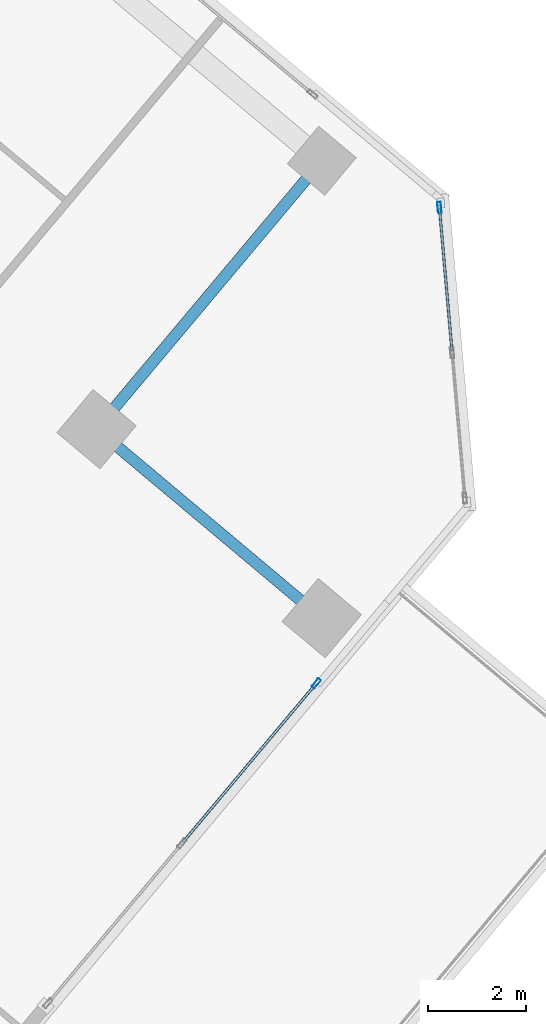
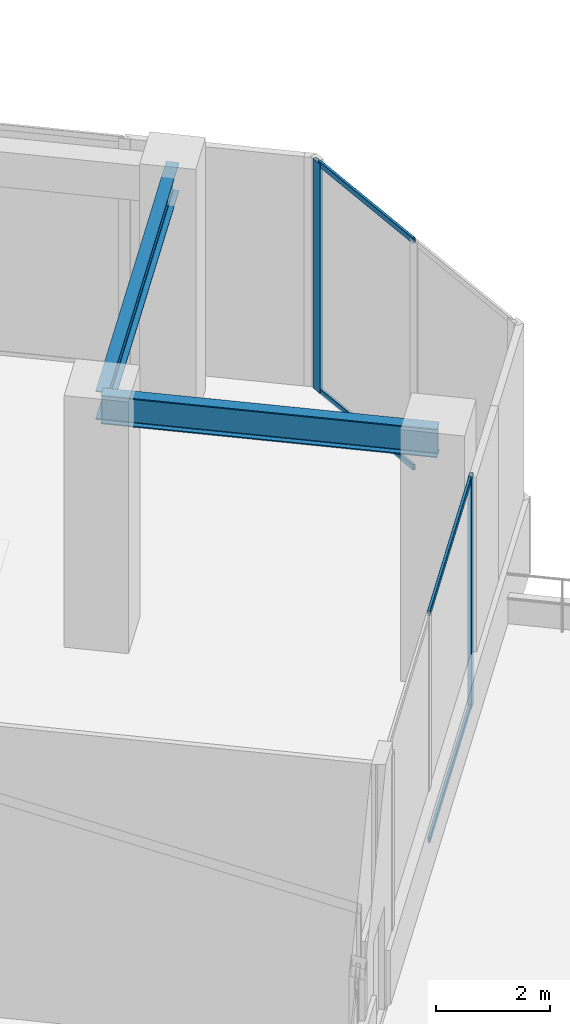
# One storey, part 6 of 17: 6 members, 2 beams, 2 elements without a shape of their own.
"""IFC4 building model written with IfcOpenShell, lengths in metres."""

from ifc_helpers import new_model, si_unit, direction, frame, origin, origin_2d, place, context, subcontext, project, spatial, hollow_rectangle, i_section, extrude, source, transform, mapped, material, material_profile, profile_set, type_object, element, aggregate, save


model = new_model("IFC4")

# Units and contexts
model_context = context("Model", 3, precision=1e-05, world=origin(), true_north=direction((0.0, 1.0)))
body_context = subcontext(model_context, "Body", "Model", "MODEL_VIEW")
ifc_project = project(units=[si_unit("LENGTHUNIT", "METRE"), si_unit("AREAUNIT", "SQUARE_METRE"), si_unit("VOLUMEUNIT", "CUBIC_METRE"), si_unit("PLANEANGLEUNIT", "RADIAN"), si_unit("MASSUNIT", "GRAM", prefix="KILO")], contexts=[model_context])

# Site, building, storey
site_placement = place(None, origin())
site = spatial("IfcSite", under=ifc_project, at=site_placement, CompositionType="ELEMENT")
building_placement = place(site_placement, origin())
building = spatial("IfcBuilding", under=site, at=building_placement, Name="Torre Montelarca", CompositionType="ELEMENT")
storey_placement = place(building_placement, frame((0.0, 0.0, 215.199951171875)))
storey = spatial("IfcBuildingStorey", under=building, at=storey_placement, Name="L48", CompositionType="ELEMENT", Elevation=215.199951171875)

# Beams
ifc_material_1 = material(Name="Steel ASTM A992 Grade 50", Category="steel")
ifc_material_profile_1 = material_profile(ifc_material_1, i_section(OverallWidth=0.22998046875, OverallDepth=0.616943359375, WebThickness=0.01318359375, FlangeThickness=0.022216796875, FilletRadius=0.014892578125, at=origin_2d()), Name="W610X140", Category="steel")
ifc_profile_set_1 = profile_set([ifc_material_profile_1], Name="Steel ASTM A992 Grade 50")
beam_type = type_object("IfcBeamType", Name="BM-G-W610", PredefinedType="BEAM", material=ifc_profile_set_1)
shared_shape_1 = source(origin(), body_context, "Body", "SweptSolid", [
    extrude(i_section(OverallWidth=0.22998046875, OverallDepth=0.616943359375, WebThickness=0.01318359375, FlangeThickness=0.022216796875, FilletRadius=0.014892578125, at=origin_2d()), origin(), (0.0, 0.0, 1.0), 6.0),
])
beam_1_placement = place(storey_placement, frame((37.75, 28.807861328125, 4.85107421875), z_axis=(0.766042232247, -0.642790244492, 0.0), x_axis=(0.642790244492, 0.766042232247, 0.0)))
element("IfcBeam", 1, at=beam_1_placement, inside=storey, type_object=beam_type, Name="L48 Grid Girder X 36.0-42.0 at Y=40.0", PredefinedType="BEAM", context=body_context, shape_type="MappedRepresentation", body=[
    mapped(shared_shape_1, transform((0.0, 0.0, 0.0), scale=1.0)),
])
shared_shape_2 = source(origin(), body_context, "Body", "SweptSolid", [
    extrude(i_section(OverallWidth=0.22998046875, OverallDepth=0.616943359375, WebThickness=0.01318359375, FlangeThickness=0.022216796875, FilletRadius=0.014892578125, at=origin_2d()), origin(), (0.0, 0.0, 1.0), 7.150146484375),
])
beam_2_placement = place(storey_placement, frame((37.75, 28.807861328125, 4.85107421875), z_axis=(0.642783597714, 0.766047809546, 0.0), x_axis=(-0.766047809546, 0.642783597714, 0.0)))
element("IfcBeam", 2, at=beam_2_placement, inside=storey, type_object=beam_type, Name="L48 Grid Girder Y 40.0-47.1 at X=36.0", PredefinedType="BEAM", context=body_context, shape_type="MappedRepresentation", body=[
    mapped(shared_shape_2, transform((0.0, 0.0, 0.0), scale=1.0)),
])

# Curtain wall, member
ifc_material_2 = material(Name="Insulated low-E laminated glass", Category="glass")
curtain_wall_type = type_object("IfcCurtainWallType", Name="CW-SYS-Z3", PredefinedType="USERDEFINED", material=ifc_material_2)
curtain_wall_1_placement = place(storey_placement, origin())
curtain_wall_1 = element("IfcCurtainWall", 3, at=curtain_wall_1_placement, inside=storey, type_object=curtain_wall_type, Name="L48 Curtain Wall Run CW-T3-L48-E06-B2", ObjectType="UNITISED GLAZING", PredefinedType="USERDEFINED")
ifc_material_3 = material(Name="Anodised aluminium AA 6063-T6", Category="aluminium")
ifc_material_profile_2 = material_profile(ifc_material_3, hollow_rectangle(XDim=0.074951171875, YDim=0.219970703125, WallThickness=0.0048828125, InnerFilletRadius=0.0048828125, OuterFilletRadius=0.010009765625, at=origin_2d()), Name="ALU75X220X5", Category="aluminium")
ifc_profile_set_2 = profile_set([ifc_material_profile_2], Name="Anodised aluminium AA 6063-T6")
member_type_1 = type_object("IfcMemberType", Name="CWM-ALU220", PredefinedType="MULLION", material=ifc_profile_set_2)
shared_shape_3 = source(origin(), body_context, "Body", "SweptSolid", [
    extrude(hollow_rectangle(XDim=0.074951171875, YDim=0.219970703125, WallThickness=0.0048828125, InnerFilletRadius=0.0048828125, OuterFilletRadius=0.010009765625, at=origin_2d()), origin(), (0.0, 0.0, 1.0), 4.920166015625),
])
member_1_placement = place(storey_placement, frame((42.23388671875, 23.619384765625, 0.0), z_axis=(0.0, 0.0, 1.0), x_axis=(-0.766049305207, 0.642781815231, 0.0)))
member_1 = element("IfcMember", 4, at=member_1_placement, type_object=member_type_1, Name="CW mullion 3", PredefinedType="MULLION", context=body_context, shape_type="MappedRepresentation", body=[
    mapped(shared_shape_3, transform((0.0, 0.0, 0.0), scale=1.0)),
])

curtain_wall_2_placement = place(storey_placement, origin())
curtain_wall_2 = element("IfcCurtainWall", 5, at=curtain_wall_2_placement, inside=storey, type_object=curtain_wall_type, Name="L48 Curtain Wall Run CW-T3-L48-E07-B1", ObjectType="UNITISED GLAZING", PredefinedType="USERDEFINED")
member_2_placement = place(storey_placement, frame((44.74755859375, 33.332763671875, 0.0), z_axis=(0.0, 0.0, 1.0), x_axis=(-0.996192349816, -0.087182579501, 0.0)))
member_2 = element("IfcMember", 6, at=member_2_placement, type_object=member_type_1, Name="CW mullion 3", PredefinedType="MULLION", context=body_context, shape_type="MappedRepresentation", body=[
    mapped(shared_shape_3, transform((0.0, 0.0, 0.0), scale=1.0)),
])

# Member
ifc_material_profile_3 = material_profile(ifc_material_3, hollow_rectangle(XDim=0.054931640625, YDim=0.1201171875, WallThickness=0.00341796875, InnerFilletRadius=0.00341796875, OuterFilletRadius=0.007080078125, at=origin_2d()), Name="ALU55X120X3.5", Category="aluminium")
ifc_profile_set_3 = profile_set([ifc_material_profile_3], Name="Anodised aluminium AA 6063-T6")
member_type_2 = type_object("IfcMemberType", Name="CWT-ALU120", PredefinedType="USERDEFINED", material=ifc_profile_set_3)
shared_shape_4 = source(origin(), body_context, "Body", "SweptSolid", [
    extrude(hollow_rectangle(XDim=0.054931640625, YDim=0.1201171875, WallThickness=0.00341796875, InnerFilletRadius=0.00341796875, OuterFilletRadius=0.007080078125, at=origin_2d()), origin(), (0.0, 0.0, 1.0), 4.18701171875),
])
member_3_placement = place(storey_placement, frame((39.518310546875, 20.383056640625, 0.027587890625), z_axis=(0.64278449755, 0.766047054501, 0.0), x_axis=(-0.766047054501, 0.64278449755, 0.0)))
member_3 = element("IfcMember", 7, at=member_3_placement, type_object=member_type_2, Name="CW transom 2.1", ObjectType="TRANSOM", PredefinedType="USERDEFINED", context=body_context, shape_type="MappedRepresentation", body=[
    mapped(shared_shape_4, transform((0.0, 0.0, 0.0), scale=1.0)),
])

member_4_placement = place(storey_placement, frame((39.518310546875, 20.383056640625, 4.892578125), z_axis=(0.64278449755, 0.766047054501, 0.0), x_axis=(-0.766047054501, 0.64278449755, 0.0)))
member_4 = element("IfcMember", 8, at=member_4_placement, type_object=member_type_2, Name="CW transom 2.2", ObjectType="TRANSOM", PredefinedType="USERDEFINED", context=body_context, shape_type="MappedRepresentation", body=[
    mapped(shared_shape_4, transform((0.0, 0.0, 0.0), scale=1.0)),
])

aggregate(curtain_wall_1, [member_1, member_3, member_4])

shared_shape_5 = source(origin(), body_context, "Body", "SweptSolid", [
    extrude(hollow_rectangle(XDim=0.054931640625, YDim=0.1201171875, WallThickness=0.00341796875, InnerFilletRadius=0.00341796875, OuterFilletRadius=0.007080078125, at=origin_2d()), origin(), (0.0, 0.0, 1.0), 2.9033203125),
])
member_5_placement = place(storey_placement, frame((45.00390625, 30.403076171875, 0.027587890625), z_axis=(-0.08719928677, 0.996190887524, 0.0), x_axis=(-0.996190887524, -0.08719928677, 0.0)))
member_5 = element("IfcMember", 9, at=member_5_placement, type_object=member_type_2, Name="CW transom 2.1", ObjectType="TRANSOM", PredefinedType="USERDEFINED", context=body_context, shape_type="MappedRepresentation", body=[
    mapped(shared_shape_5, transform((0.0, 0.0, 0.0), scale=1.0)),
])

member_6_placement = place(storey_placement, frame((45.00390625, 30.403076171875, 4.892578125), z_axis=(-0.08719928677, 0.996190887524, 0.0), x_axis=(-0.996190887524, -0.08719928677, 0.0)))
member_6 = element("IfcMember", 10, at=member_6_placement, type_object=member_type_2, Name="CW transom 2.2", ObjectType="TRANSOM", PredefinedType="USERDEFINED", context=body_context, shape_type="MappedRepresentation", body=[
    mapped(shared_shape_5, transform((0.0, 0.0, 0.0), scale=1.0)),
])

aggregate(curtain_wall_2, [member_2, member_5, member_6])

save(model, "model.ifc")
